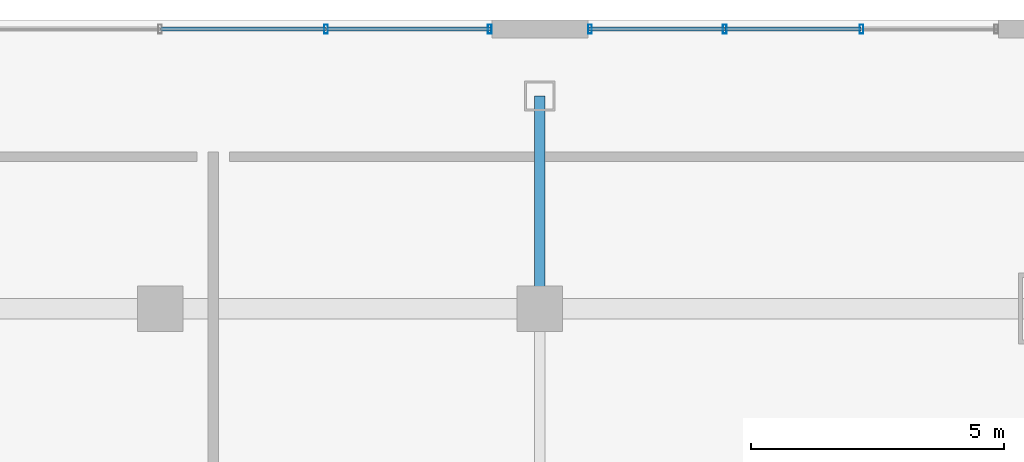
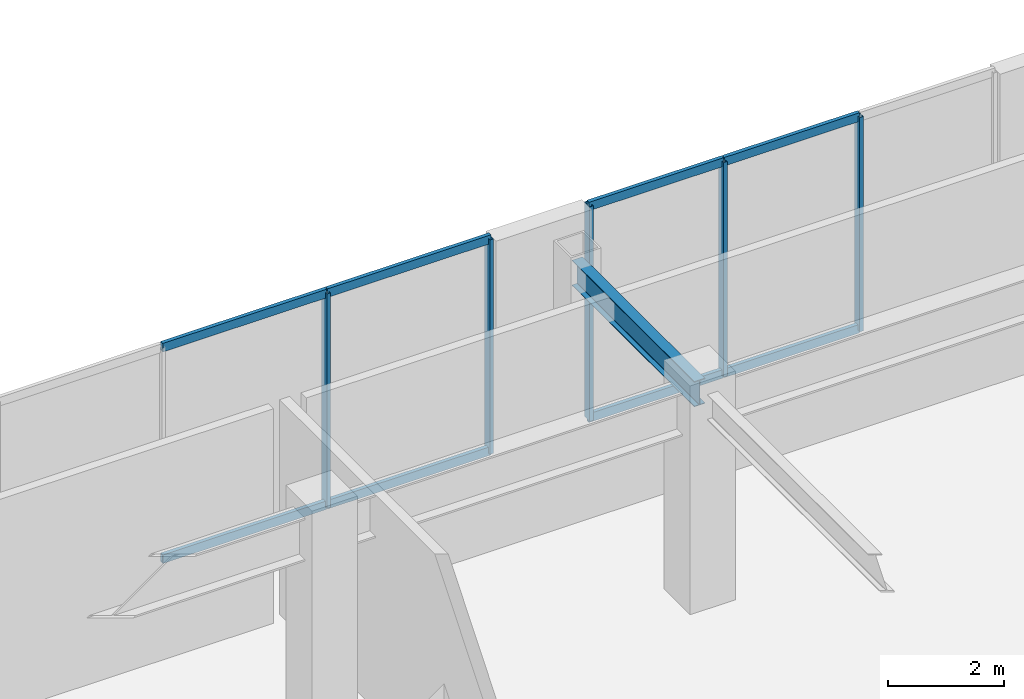
# One storey, part 7 of 15: 13 members, 1 beam, 2 elements without a shape of their own.
"""IFC4 building model written with IfcOpenShell, lengths in metres."""

from ifc_helpers import new_model, si_unit, direction, frame, origin, origin_2d, place, context, subcontext, project, spatial, hollow_rectangle, i_section, extrude, material, material_profile, profile_set, type_object, element, aggregate, save


model = new_model("IFC4")

# Units and contexts
model_context = context("Model", 3, precision=1e-05, world=origin(), true_north=direction((0.0, 1.0)))
body_context = subcontext(model_context, "Body", "Model", "MODEL_VIEW")
ifc_project = project(units=[si_unit("LENGTHUNIT", "METRE"), si_unit("AREAUNIT", "SQUARE_METRE"), si_unit("VOLUMEUNIT", "CUBIC_METRE"), si_unit("PLANEANGLEUNIT", "RADIAN"), si_unit("MASSUNIT", "GRAM", prefix="KILO")], contexts=[model_context])

# Site, building, storey
site_placement = place(None, origin())
site = spatial("IfcSite", under=ifc_project, at=site_placement, CompositionType="ELEMENT")
building_placement = place(site_placement, origin())
building = spatial("IfcBuilding", under=site, at=building_placement, Name="Ventersveld Concourse Tower", CompositionType="ELEMENT")
storey_placement = place(building_placement, frame((0.0, 0.0, 5.39990234375)))
storey = spatial("IfcBuildingStorey", under=building, at=storey_placement, Name="L01", CompositionType="ELEMENT", Elevation=5.39990234375)

# Curtain wall, members
ifc_material_1 = material(Name="Anodised aluminium EN AW-6063-T6", Category="aluminium")
curtain_wall_type = type_object("IfcCurtainWallType", Name="CW-POD-2", PredefinedType="NOTDEFINED", material=ifc_material_1)
curtain_wall_1_placement = place(storey_placement, origin())
curtain_wall_1 = element("IfcCurtainWall", 1, at=curtain_wall_1_placement, inside=storey, type_object=curtain_wall_type, Name="L01 L01 Podium Gallery Curtain Wall 3", PredefinedType="NOTDEFINED")
ifc_material_profile_1 = material_profile(ifc_material_1, hollow_rectangle(XDim=0.074951171875, YDim=0.179931640625, WallThickness=0.00390625, at=origin_2d()), Name="ALU 180x75x4")
ifc_profile_set_1 = profile_set([ifc_material_profile_1], Name="Anodised aluminium EN AW-6063-T6")
member_type_1 = type_object("IfcMemberType", Name="CWM-180x75", PredefinedType="MULLION", material=ifc_profile_set_1)
member_1_placement = place(storey_placement, frame((39.52490234375, 49.52001953125, 0.0), z_axis=(0.0, 0.0, 1.0), x_axis=(1.0, 0.0, 0.0)))
member_1 = element("IfcMember", 2, at=member_1_placement, type_object=member_type_1, Name="CW-L01-N3 Mullion 04", PredefinedType="MULLION", context=body_context, shape_type="SweptSolid", body=[
    extrude(hollow_rectangle(XDim=0.074951171875, YDim=0.179931640625, WallThickness=0.00390625, at=origin_2d()), origin(), (0.0, 0.0, 1.0), 4.5),
])
member_2_placement = place(storey_placement, frame((42.760009765625, 49.52001953125, 0.0), z_axis=(0.0, 0.0, 1.0), x_axis=(1.0, 0.0, 0.0)))
member_2 = element("IfcMember", 3, at=member_2_placement, type_object=member_type_1, Name="CW-L01-N3 Mullion 05", PredefinedType="MULLION", context=body_context, shape_type="SweptSolid", body=[
    extrude(hollow_rectangle(XDim=0.074951171875, YDim=0.179931640625, WallThickness=0.00390625, at=origin_2d()), origin(), (0.0, 0.0, 1.0), 4.5),
])

curtain_wall_2_placement = place(storey_placement, origin())
curtain_wall_2 = element("IfcCurtainWall", 4, at=curtain_wall_2_placement, inside=storey, type_object=curtain_wall_type, Name="L01 L01 Podium Gallery Curtain Wall 4", PredefinedType="NOTDEFINED")
member_3_placement = place(storey_placement, frame((44.739990234375, 49.52001953125, 0.0), z_axis=(0.0, 0.0, 1.0), x_axis=(1.0, 0.0, 0.0)))
member_3 = element("IfcMember", 5, at=member_3_placement, type_object=member_type_1, Name="CW-L01-N4 Mullion 01", PredefinedType="MULLION", context=body_context, shape_type="SweptSolid", body=[
    extrude(hollow_rectangle(XDim=0.074951171875, YDim=0.179931640625, WallThickness=0.00390625, at=origin_2d()), origin(), (0.0, 0.0, 1.0), 4.5),
])
member_4_placement = place(storey_placement, frame((47.39990234375, 49.52001953125, 0.0), z_axis=(0.0, 0.0, 1.0), x_axis=(1.0, 0.0, 0.0)))
member_4 = element("IfcMember", 6, at=member_4_placement, type_object=member_type_1, Name="CW-L01-N4 Mullion 02", PredefinedType="MULLION", context=body_context, shape_type="SweptSolid", body=[
    extrude(hollow_rectangle(XDim=0.074951171875, YDim=0.179931640625, WallThickness=0.00390625, at=origin_2d()), origin(), (0.0, 0.0, 1.0), 4.5),
])
member_5_placement = place(storey_placement, frame((50.10009765625, 49.52001953125, 0.0), z_axis=(0.0, 0.0, 1.0), x_axis=(1.0, 0.0, 0.0)))
member_5 = element("IfcMember", 7, at=member_5_placement, type_object=member_type_1, Name="CW-L01-N4 Mullion 03", PredefinedType="MULLION", context=body_context, shape_type="SweptSolid", body=[
    extrude(hollow_rectangle(XDim=0.074951171875, YDim=0.179931640625, WallThickness=0.00390625, at=origin_2d()), origin(), (0.0, 0.0, 1.0), 4.5),
])

# Member
ifc_material_profile_2 = material_profile(ifc_material_1, hollow_rectangle(XDim=0.074951171875, YDim=0.179931640625, WallThickness=0.00390625, at=origin_2d()), Name="ALU 180x75x4")
ifc_profile_set_2 = profile_set([ifc_material_profile_2], Name="Anodised aluminium EN AW-6063-T6")
member_type_2 = type_object("IfcMemberType", Name="CWT-180x75", PredefinedType="USERDEFINED", material=ifc_profile_set_2)
member_6_placement = place(storey_placement, frame((36.260009765625, 49.52001953125, 0.030029296875), z_axis=(1.0, 0.0, 0.0), x_axis=(0.0, 1.0, 0.0)))
member_6 = element("IfcMember", 8, at=member_6_placement, type_object=member_type_2, Name="CW-L01-N3 Transom 1-03", ObjectType="TRANSOM", PredefinedType="USERDEFINED", context=body_context, shape_type="SweptSolid", body=[
    extrude(hollow_rectangle(XDim=0.074951171875, YDim=0.179931640625, WallThickness=0.00390625, at=origin_2d()), origin(), (0.0, 0.0, 1.0), 3.2548828125),
])

member_7_placement = place(storey_placement, frame((39.534912109375, 49.52001953125, 0.030029296875), z_axis=(1.0, 0.0, 0.0), x_axis=(0.0, 1.0, 0.0)))
member_7 = element("IfcMember", 9, at=member_7_placement, type_object=member_type_2, Name="CW-L01-N3 Transom 1-04", ObjectType="TRANSOM", PredefinedType="USERDEFINED", context=body_context, shape_type="SweptSolid", body=[
    extrude(hollow_rectangle(XDim=0.074951171875, YDim=0.179931640625, WallThickness=0.00390625, at=origin_2d()), origin(), (0.0, 0.0, 1.0), 3.2451171875),
])

member_8_placement = place(storey_placement, frame((36.260009765625, 49.52001953125, 4.47021484375), z_axis=(1.0, 0.0, 0.0), x_axis=(0.0, 1.0, 0.0)))
member_8 = element("IfcMember", 10, at=member_8_placement, type_object=member_type_2, Name="CW-L01-N3 Transom 2-03", ObjectType="TRANSOM", PredefinedType="USERDEFINED", context=body_context, shape_type="SweptSolid", body=[
    extrude(hollow_rectangle(XDim=0.074951171875, YDim=0.179931640625, WallThickness=0.00390625, at=origin_2d()), origin(), (0.0, 0.0, 1.0), 3.2548828125),
])

member_9_placement = place(storey_placement, frame((39.534912109375, 49.52001953125, 4.47021484375), z_axis=(1.0, 0.0, 0.0), x_axis=(0.0, 1.0, 0.0)))
member_9 = element("IfcMember", 11, at=member_9_placement, type_object=member_type_2, Name="CW-L01-N3 Transom 2-04", ObjectType="TRANSOM", PredefinedType="USERDEFINED", context=body_context, shape_type="SweptSolid", body=[
    extrude(hollow_rectangle(XDim=0.074951171875, YDim=0.179931640625, WallThickness=0.00390625, at=origin_2d()), origin(), (0.0, 0.0, 1.0), 3.2451171875),
])

aggregate(curtain_wall_1, [member_1, member_2, member_6, member_7, member_8, member_9])

member_10_placement = place(storey_placement, frame((44.719970703125, 49.52001953125, 0.030029296875), z_axis=(1.0, 0.0, 0.0), x_axis=(0.0, 1.0, 0.0)))
member_10 = element("IfcMember", 12, at=member_10_placement, type_object=member_type_2, Name="CW-L01-N4 Transom 1-01", ObjectType="TRANSOM", PredefinedType="USERDEFINED", context=body_context, shape_type="SweptSolid", body=[
    extrude(hollow_rectangle(XDim=0.074951171875, YDim=0.179931640625, WallThickness=0.00390625, at=origin_2d()), origin(), (0.0, 0.0, 1.0), 2.669921875),
])

member_11_placement = place(storey_placement, frame((47.409912109375, 49.52001953125, 0.030029296875), z_axis=(1.0, 0.0, 0.0), x_axis=(0.0, 1.0, 0.0)))
member_11 = element("IfcMember", 13, at=member_11_placement, type_object=member_type_2, Name="CW-L01-N4 Transom 1-02", ObjectType="TRANSOM", PredefinedType="USERDEFINED", context=body_context, shape_type="SweptSolid", body=[
    extrude(hollow_rectangle(XDim=0.074951171875, YDim=0.179931640625, WallThickness=0.00390625, at=origin_2d()), origin(), (0.0, 0.0, 1.0), 2.68017578125),
])

member_12_placement = place(storey_placement, frame((44.719970703125, 49.52001953125, 4.47021484375), z_axis=(1.0, 0.0, 0.0), x_axis=(0.0, 1.0, 0.0)))
member_12 = element("IfcMember", 14, at=member_12_placement, type_object=member_type_2, Name="CW-L01-N4 Transom 2-01", ObjectType="TRANSOM", PredefinedType="USERDEFINED", context=body_context, shape_type="SweptSolid", body=[
    extrude(hollow_rectangle(XDim=0.074951171875, YDim=0.179931640625, WallThickness=0.00390625, at=origin_2d()), origin(), (0.0, 0.0, 1.0), 2.669921875),
])

member_13_placement = place(storey_placement, frame((47.409912109375, 49.52001953125, 4.47021484375), z_axis=(1.0, 0.0, 0.0), x_axis=(0.0, 1.0, 0.0)))
member_13 = element("IfcMember", 15, at=member_13_placement, type_object=member_type_2, Name="CW-L01-N4 Transom 2-02", ObjectType="TRANSOM", PredefinedType="USERDEFINED", context=body_context, shape_type="SweptSolid", body=[
    extrude(hollow_rectangle(XDim=0.074951171875, YDim=0.179931640625, WallThickness=0.00390625, at=origin_2d()), origin(), (0.0, 0.0, 1.0), 2.68017578125),
])

aggregate(curtain_wall_2, [member_3, member_4, member_5, member_10, member_11, member_12, member_13])

# Beam
ifc_material_2 = material(Name="Structural steel S355J2", Category="steel")
ifc_material_profile_3 = material_profile(ifc_material_2, i_section(OverallWidth=0.209228515625, OverallDepth=0.533203125, WebThickness=0.010009765625, FlangeThickness=0.015625, FilletRadius=0.0126953125, at=origin_2d()), Name="UB 533x210x92")
ifc_profile_set_3 = profile_set([ifc_material_profile_3], Name="Structural steel S355J2")
beam_type = type_object("IfcBeamType", Name="GRD-UB533", PredefinedType="T_BEAM", material=ifc_profile_set_3)
beam_placement = place(storey_placement, frame((43.75, 44.0, 4.2333984375), z_axis=(0.0, 1.0, 0.0), x_axis=(-1.0, 0.0, 0.0)))
element("IfcBeam", 16, at=beam_placement, inside=storey, type_object=beam_type, Name="L01 Podium N-S Girder X=43.75m", PredefinedType="T_BEAM", context=body_context, shape_type="SweptSolid", body=[
    extrude(i_section(OverallWidth=0.209228515625, OverallDepth=0.533203125, WebThickness=0.010009765625, FlangeThickness=0.015625, FilletRadius=0.0126953125, at=origin_2d()), origin(), (0.0, 0.0, 1.0), 4.199951171875),
])

save(model, "model.ifc")
